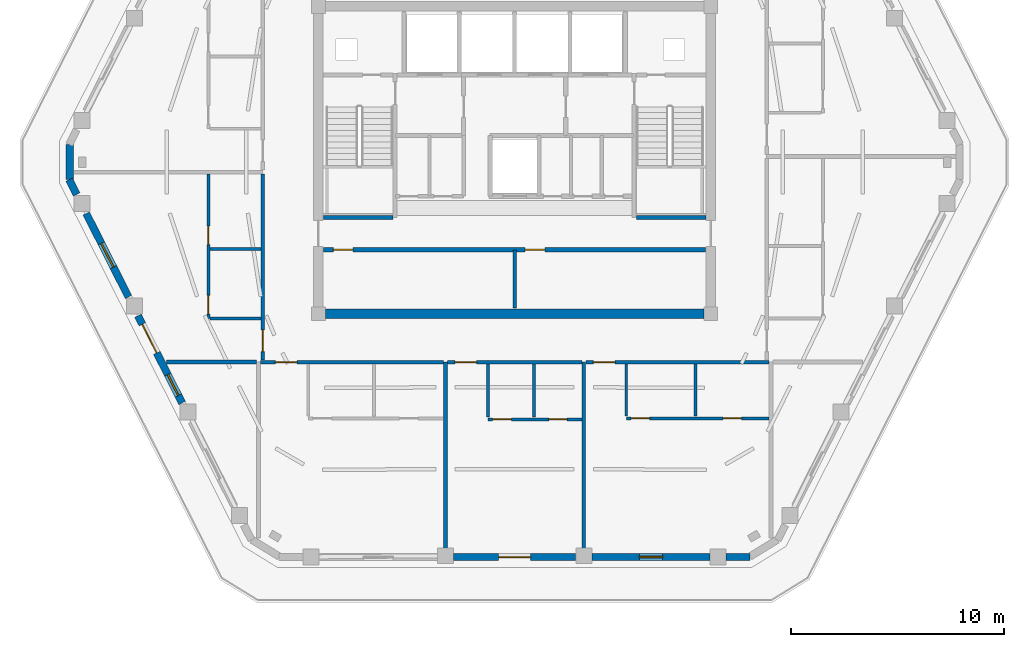
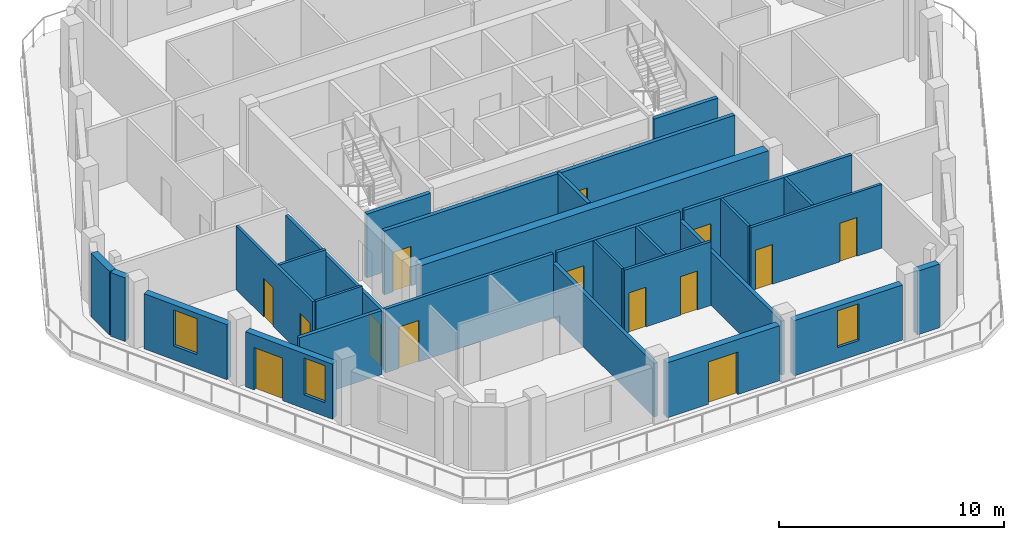
# One storey, part 3 of 10: 28 walls, 14 doors, 3 windows, 17 openings.
"""IFC4 building model written with IfcOpenShell, lengths in metres."""

from ifc_helpers import new_model, si_unit, direction, frame, frame_2d, origin, place, context, subcontext, project, spatial, rectangle, extrude, material, layer, layer_set, type_object, element, fill, save


model = new_model("IFC4")

# Units and contexts
model_context = context("Model", 3, precision=1e-05, world=origin(), true_north=direction((0.0, 1.0)))
body_context = subcontext(model_context, "Body", "Model", "MODEL_VIEW")
ifc_project = project(units=[si_unit("LENGTHUNIT", "METRE"), si_unit("AREAUNIT", "SQUARE_METRE"), si_unit("VOLUMEUNIT", "CUBIC_METRE"), si_unit("PLANEANGLEUNIT", "RADIAN"), si_unit("MASSUNIT", "GRAM", prefix="KILO")], contexts=[model_context])

# Site, building, storey
site_placement = place(None, origin())
site = spatial("IfcSite", under=ifc_project, at=site_placement, CompositionType="ELEMENT")
building_placement = place(site_placement, origin())
building = spatial("IfcBuilding", under=site, at=building_placement, Name="Cinnabar Lancet Tower", CompositionType="ELEMENT")
storey_placement = place(building_placement, frame((0.0, 0.0, 227.0)))
storey = spatial("IfcBuildingStorey", under=building, at=storey_placement, Name="L60", CompositionType="ELEMENT", Elevation=227.0)

# Wall
ifc_material_1 = material(Name="Acoustic twin-stud gypsum partition", Category="gypsum")
ifc_layer_1 = layer(ifc_material_1, 0.159912109375)
ifc_layer_set_1 = layer_set([ifc_layer_1], Name="Acoustic twin-stud gypsum partition")
wall_type_1 = type_object("IfcWallType", Name="ARC-WL-CORR-160", PredefinedType="PARTITIONING", material=ifc_layer_set_1)
wall_1_placement = place(storey_placement, frame((32.39990234375, 18.949951171875, 0.0), z_axis=(0.0, 0.0, 1.0), x_axis=(0.0, 1.0, 0.0)))
element("IfcWall", 1, at=wall_1_placement, inside=storey, type_object=wall_type_1, Name="CW-SB-3240-L60", PredefinedType="PARTITIONING", context=body_context, shape_type="SweptSolid", body=[
    extrude(rectangle(XDim=2.72998046875, YDim=0.159912109375, at=frame_2d((1.364990234375, 0.0))), origin(), (0.0, 0.0, 1.0), 3.449951171875),
])

# Wall, opening, door
wall_2_placement = place(storey_placement, frame((20.445068359375, 16.39990234375, 0.0), z_axis=(0.0, 0.0, 1.0), x_axis=(1.0, 0.0, 0.0)))
wall_2 = element("IfcWall", 2, at=wall_2_placement, inside=storey, type_object=wall_type_1, Name="L60 Unit S01 Corridor Wall", PredefinedType="PARTITIONING", context=body_context, shape_type="SweptSolid", body=[
    extrude(rectangle(XDim=8.60595703125, YDim=0.159912109375, at=frame_2d((4.302978515625, 0.0))), origin(), (0.0, 0.0, 1.0), 3.449951171875),
])
opening_1_placement = place(wall_2_placement, frame((0.705078125, 0.0, 0.0)))
opening_1 = element("IfcOpeningElement", 3, at=opening_1_placement, cuts=wall_2, Name="Opening UD-01", PredefinedType="OPENING", context=body_context, shape_type="SweptSolid", body=[
    extrude(rectangle(XDim=1.02001953125, YDim=2.25, at=frame_2d((0.510009765625, 1.125))), frame((0.0, 0.08984375, 0.0), z_axis=(0.0, -1.0, 0.0), x_axis=(1.0, 0.0, 0.0)), (0.0, 0.0, 1.0), 0.179931640625),
])
ifc_material_2 = material(Name="Solid timber fire-rated apartment entrance door", Category="wood")
door_type_1 = type_object("IfcDoorType", Name="ARC-DR-UNIT", OperationType="NOTDEFINED", PredefinedType="DOOR", material=ifc_material_2)
door_1_placement = place(opening_1_placement, origin())
door_1 = element("IfcDoor", 4, at=door_1_placement, inside=storey, type_object=door_type_1, Name="DR-L60-S01-ENT", OperationType="SINGLE_SWING_RIGHT", OverallHeight=2.25, OverallWidth=1.02001953125, PredefinedType="DOOR", context=body_context, shape_type="SweptSolid", body=[
    extrude(rectangle(XDim=1.02001953125, YDim=2.25, at=frame_2d((0.510009765625, 1.125))), frame((0.0, 0.02490234375, 0.0), z_axis=(0.0, -1.0, 0.0), x_axis=(1.0, 0.0, 0.0)), (0.0, 0.0, 1.0), 0.050048828125),
])
fill(opening_1, door_1)

wall_3_placement = place(storey_placement, frame((29.240966796875, 16.39990234375, 0.0), z_axis=(0.0, 0.0, 1.0), x_axis=(1.0, 0.0, 0.0)))
wall_3 = element("IfcWall", 5, at=wall_3_placement, inside=storey, type_object=wall_type_1, Name="L60 Unit S02 Corridor Wall", PredefinedType="PARTITIONING", context=body_context, shape_type="SweptSolid", body=[
    extrude(rectangle(XDim=6.318115234375, YDim=0.159912109375, at=frame_2d((3.1591796875, 0.0))), origin(), (0.0, 0.0, 1.0), 3.449951171875),
])
opening_2_placement = place(wall_3_placement, frame((0.35498046875, 0.0, 0.0)))
opening_2 = element("IfcOpeningElement", 6, at=opening_2_placement, cuts=wall_3, Name="Opening UD-01", PredefinedType="OPENING", context=body_context, shape_type="SweptSolid", body=[
    extrude(rectangle(XDim=1.02001953125, YDim=2.25, at=frame_2d((0.510009765625, 1.125))), frame((0.0, 0.08984375, 0.0), z_axis=(0.0, -1.0, 0.0), x_axis=(1.0, 0.0, 0.0)), (0.0, 0.0, 1.0), 0.179931640625),
])
door_2_placement = place(opening_2_placement, origin())
door_2 = element("IfcDoor", 7, at=door_2_placement, inside=storey, type_object=door_type_1, Name="DR-L60-S02-ENT", OperationType="SINGLE_SWING_LEFT", OverallHeight=2.25, OverallWidth=1.02001953125, PredefinedType="DOOR", context=body_context, shape_type="SweptSolid", body=[
    extrude(rectangle(XDim=1.02001953125, YDim=2.25, at=frame_2d((0.510009765625, 1.125))), frame((0.0, 0.02490234375, 0.0), z_axis=(0.0, -1.0, 0.0), x_axis=(1.0, 0.0, 0.0)), (0.0, 0.0, 1.0), 0.050048828125),
])
fill(opening_2, door_2)

wall_4_placement = place(storey_placement, frame((35.7490234375, 16.39990234375, 0.0), z_axis=(0.0, 0.0, 1.0), x_axis=(1.0, 0.0, 0.0)))
wall_4 = element("IfcWall", 8, at=wall_4_placement, inside=storey, type_object=wall_type_1, Name="L60 Unit S03 Corridor Wall", PredefinedType="PARTITIONING", context=body_context, shape_type="SweptSolid", body=[
    extrude(rectangle(XDim=8.60595703125, YDim=0.159912109375, at=frame_2d((4.302978515625, 0.0))), origin(), (0.0, 0.0, 1.0), 3.449951171875),
])
opening_3_placement = place(wall_4_placement, frame((0.35498046875, 0.0, 0.0)))
opening_3 = element("IfcOpeningElement", 9, at=opening_3_placement, cuts=wall_4, Name="Opening UD-01", PredefinedType="OPENING", context=body_context, shape_type="SweptSolid", body=[
    extrude(rectangle(XDim=1.02001953125, YDim=2.25, at=frame_2d((0.510009765625, 1.125))), frame((0.0, 0.08984375, 0.0), z_axis=(0.0, -1.0, 0.0), x_axis=(1.0, 0.0, 0.0)), (0.0, 0.0, 1.0), 0.179931640625),
])
door_3_placement = place(opening_3_placement, origin())
door_3 = element("IfcDoor", 10, at=door_3_placement, inside=storey, type_object=door_type_1, Name="DR-L60-S03-ENT", OperationType="SINGLE_SWING_RIGHT", OverallHeight=2.25, OverallWidth=1.02001953125, PredefinedType="DOOR", context=body_context, shape_type="SweptSolid", body=[
    extrude(rectangle(XDim=1.02001953125, YDim=2.25, at=frame_2d((0.510009765625, 1.125))), frame((0.0, 0.02490234375, 0.0), z_axis=(0.0, -1.0, 0.0), x_axis=(1.0, 0.0, 0.0)), (0.0, 0.0, 1.0), 0.050048828125),
])
fill(opening_3, door_3)

wall_5_placement = place(storey_placement, frame((20.550048828125, 16.4951171875, 0.0), z_axis=(0.0, 0.0, 1.0), x_axis=(0.0, 1.0, 0.0)))
wall_5 = element("IfcWall", 11, at=wall_5_placement, inside=storey, type_object=wall_type_1, Name="UW-L60-W01-COR", PredefinedType="PARTITIONING", context=body_context, shape_type="SweptSolid", body=[
    extrude(rectangle(XDim=8.73779296875, YDim=0.159912109375, at=frame_2d((4.368896484375, 0.0))), origin(), (0.0, 0.0, 1.0), 3.136962890625),
])
opening_4_placement = place(wall_5_placement, frame((0.39990234375, 0.0, 0.0)))
opening_4 = element("IfcOpeningElement", 12, at=opening_4_placement, cuts=wall_5, Name="Opening UD-01", PredefinedType="OPENING", context=body_context, shape_type="SweptSolid", body=[
    extrude(rectangle(XDim=1.02001953125, YDim=2.25, at=frame_2d((0.510009765625, 1.125))), frame((0.0, 0.08984375, 0.0), z_axis=(0.0, -1.0, 0.0), x_axis=(1.0, 0.0, 0.0)), (0.0, 0.0, 1.0), 0.179931640625),
])
door_4_placement = place(opening_4_placement, origin())
door_4 = element("IfcDoor", 13, at=door_4_placement, inside=storey, type_object=door_type_1, Name="DR-L60-W01-ENT", OperationType="SINGLE_SWING_RIGHT", OverallHeight=2.25, OverallWidth=1.02001953125, PredefinedType="DOOR", context=body_context, shape_type="SweptSolid", body=[
    extrude(rectangle(XDim=1.02001953125, YDim=2.25, at=frame_2d((0.510009765625, 1.125))), frame((0.0, 0.02490234375, 0.0), z_axis=(0.0, -1.0, 0.0), x_axis=(1.0, 0.0, 0.0)), (0.0, 0.0, 1.0), 0.050048828125),
])
fill(opening_4, door_4)

# Walls
ifc_material_3 = material(Name="Fire-rated twin-frame acoustic drywall", Category="gypsum")
ifc_layer_2 = layer(ifc_material_3, 0.179931640625)
ifc_layer_set_2 = layer_set([ifc_layer_2], Name="Fire-rated twin-frame acoustic drywall")
wall_type_2 = type_object("IfcWallType", Name="ARC-WL-PARTY-180", PredefinedType="PARTITIONING", material=ifc_layer_set_2)
for number, where, z_axis, x_axis, name in (
    (14, (29.14599609375, 7.405029296875, 0.0), (0.0, 0.0, 1.0), (0.0, 1.0, 0.0), "PW-L60-SPTY-291"),
    (15, (35.654052734375, 7.405029296875, 0.0), (0.0, 0.0, 1.0), (0.0, 1.0, 0.0), "PW-L60-SPTY-357"),
):
    element("IfcWall", number, at=place(storey_placement, frame(where, z_axis=z_axis, x_axis=x_axis)), inside=storey, type_object=wall_type_2, Name=name, PredefinedType="PARTITIONING", context=body_context, shape_type="SweptSolid", body=[
        extrude(rectangle(XDim=8.994873046875, YDim=0.179931640625, at=frame_2d((4.49755859375, 0.0))), origin(), (0.0, 0.0, 1.0), 2.906982421875),
    ])
wall_6_placement = place(storey_placement, frame((16.033935546875, 16.39990234375, 0.0), z_axis=(0.0, 0.0, 1.0), x_axis=(1.0, 0.0, 0.0)))
element("IfcWall", 16, at=wall_6_placement, inside=storey, type_object=wall_type_2, Name="PW-L60-WSB", PredefinedType="PARTITIONING", context=body_context, shape_type="SweptSolid", body=[
    extrude(rectangle(XDim=4.220947265625, YDim=0.179931640625, at=frame_2d((2.1103515625, 0.0))), origin(), (0.0, 0.0, 1.0), 3.449951171875),
])
ifc_material_4 = material(Name="Autoclaved aerated concrete blockwork", Category="masonry")
ifc_layer_3 = layer(ifc_material_4, 0.199951171875)
ifc_layer_set_3 = layer_set([ifc_layer_3], Name="Autoclaved aerated concrete blockwork")
wall_type_3 = type_object("IfcWallType", Name="ARC-WL-SHAFT-200", PredefinedType="PLUMBINGWALL", material=ifc_layer_set_3)
for number, where, z_axis, x_axis, name in (
    (17, (23.405029296875, 23.199951171875, 0.0), (0.0, 0.0, 1.0), (1.0, 0.0, 0.0), "CW-ST1S-L60"),
    (18, (38.125, 23.199951171875, 0.0), (0.0, 0.0, 1.0), (1.0, 0.0, 0.0), "CW-ST2S-L60"),
):
    element("IfcWall", number, at=place(storey_placement, frame(where, z_axis=z_axis, x_axis=x_axis)), inside=storey, type_object=wall_type_3, Name=name, PredefinedType="PLUMBINGWALL", context=body_context, shape_type="SweptSolid", body=[
        extrude(rectangle(XDim=3.27001953125, YDim=0.199951171875, at=frame_2d((1.635009765625, 0.0))), origin(), (0.0, 0.0, 1.0), 3.449951171875),
    ])

# Wall, openings, doors
wall_7_placement = place(storey_placement, frame((23.419921875, 21.679931640625, 0.0), z_axis=(0.0, 0.0, 1.0), x_axis=(1.0, 0.0, 0.0)))
wall_7 = element("IfcWall", 19, at=wall_7_placement, inside=storey, type_object=wall_type_3, Name="CW-SBANDN-L60", PredefinedType="PLUMBINGWALL", context=body_context, shape_type="SweptSolid", body=[
    extrude(rectangle(XDim=17.9599609375, YDim=0.199951171875, at=frame_2d((8.97998046875, 0.0))), origin(), (0.0, 0.0, 1.0), 3.449951171875),
])
opening_5_placement = place(wall_7_placement, frame((0.4599609375, 0.0, 0.0)))
opening_5 = element("IfcOpeningElement", 20, at=opening_5_placement, cuts=wall_7, Name="Opening RD-01", PredefinedType="OPENING", context=body_context, shape_type="SweptSolid", body=[
    extrude(rectangle(XDim=0.919921875, YDim=2.14990234375, at=frame_2d((0.4599609375, 1.074951171875))), frame((0.0, 0.10986328125, 0.0), z_axis=(0.0, -1.0, 0.0), x_axis=(1.0, 0.0, 0.0)), (0.0, 0.0, 1.0), 0.219970703125),
])
opening_6_placement = place(wall_7_placement, frame((9.47998046875, 0.0, 0.0)))
opening_6 = element("IfcOpeningElement", 21, at=opening_6_placement, cuts=wall_7, Name="Opening RD-01", PredefinedType="OPENING", context=body_context, shape_type="SweptSolid", body=[
    extrude(rectangle(XDim=0.919921875, YDim=2.14990234375, at=frame_2d((0.4599609375, 1.074951171875))), frame((0.0, 0.10986328125, 0.0), z_axis=(0.0, -1.0, 0.0), x_axis=(1.0, 0.0, 0.0)), (0.0, 0.0, 1.0), 0.219970703125),
])
ifc_material_5 = material(Name="Engineered timber bedroom door", Category="wood")
door_type_2 = type_object("IfcDoorType", Name="ARC-DR-ROOM", OperationType="NOTDEFINED", PredefinedType="DOOR", material=ifc_material_5)
door_5_placement = place(opening_5_placement, origin())
door_5 = element("IfcDoor", 22, at=door_5_placement, inside=storey, type_object=door_type_2, Name="DR-L60-HREC1", OperationType="SINGLE_SWING_LEFT", OverallHeight=2.14990234375, OverallWidth=0.919921875, PredefinedType="DOOR", context=body_context, shape_type="SweptSolid", body=[
    extrude(rectangle(XDim=0.919921875, YDim=2.14990234375, at=frame_2d((0.4599609375, 1.074951171875))), frame((0.0, 0.02490234375, 0.0), z_axis=(0.0, -1.0, 0.0), x_axis=(1.0, 0.0, 0.0)), (0.0, 0.0, 1.0), 0.050048828125),
])
fill(opening_5, door_5)
door_6_placement = place(opening_6_placement, origin())
door_6 = element("IfcDoor", 23, at=door_6_placement, inside=storey, type_object=door_type_2, Name="DR-L60-HREC2", OperationType="SINGLE_SWING_RIGHT", OverallHeight=2.14990234375, OverallWidth=0.919921875, PredefinedType="DOOR", context=body_context, shape_type="SweptSolid", body=[
    extrude(rectangle(XDim=0.919921875, YDim=2.14990234375, at=frame_2d((0.4599609375, 1.074951171875))), frame((0.0, 0.02490234375, 0.0), z_axis=(0.0, -1.0, 0.0), x_axis=(1.0, 0.0, 0.0)), (0.0, 0.0, 1.0), 0.050048828125),
])
fill(opening_6, door_6)

# Walls
ifc_material_6 = material(Name="Gypsum plasterboard stud partition", Category="gypsum")
ifc_layer_4 = layer(ifc_material_6, 0.125)
ifc_layer_set_4 = layer_set([ifc_layer_4], Name="Gypsum plasterboard stud partition")
wall_type_4 = type_object("IfcWallType", Name="ARC-WL-UNIT-125", PredefinedType="PARTITIONING", material=ifc_layer_set_4)
wall_8_placement = place(storey_placement, frame((31.14599609375, 13.806884765625, 0.0), z_axis=(0.0, 0.0, 1.0), x_axis=(0.0, 1.0, 0.0)))
element("IfcWall", 24, at=wall_8_placement, inside=storey, type_object=wall_type_4, Name="UW-L60-S02-FOYE", PredefinedType="PARTITIONING", context=body_context, shape_type="SweptSolid", body=[
    extrude(rectangle(XDim=2.508056640625, YDim=0.125, at=frame_2d((1.25390625, 0.0))), origin(), (0.0, 0.0, 1.0), 3.449951171875),
])
wall_9_placement = place(storey_placement, frame((37.654052734375, 13.85498046875, 0.0), z_axis=(0.0, 0.0, 1.0), x_axis=(0.0, 1.0, 0.0)))
element("IfcWall", 25, at=wall_9_placement, inside=storey, type_object=wall_type_4, Name="UW-L60-S03-FOYE", PredefinedType="PARTITIONING", context=body_context, shape_type="SweptSolid", body=[
    extrude(rectangle(XDim=2.4599609375, YDim=0.125, at=frame_2d((1.22998046875, 0.0))), origin(), (0.0, 0.0, 1.0), 3.449951171875),
])
wall_10_placement = place(storey_placement, frame((18.0849609375, 18.449951171875, 0.0), z_axis=(0.0, 0.0, 1.0), x_axis=(1.0, 0.0, 0.0)))
element("IfcWall", 26, at=wall_10_placement, inside=storey, type_object=wall_type_4, Name="UW-L60-W01-FOYN", PredefinedType="PARTITIONING", context=body_context, shape_type="SweptSolid", body=[
    extrude(rectangle(XDim=2.380126953125, YDim=0.125, at=frame_2d((1.18994140625, 0.0))), origin(), (0.0, 0.0, 1.0), 3.449951171875),
])

# Wall, openings, doors
ifc_material_7 = material(Name="Moisture-resistant cement-board plumbing wall", Category="masonry")
ifc_layer_5 = layer(ifc_material_7, 0.139892578125)
ifc_layer_set_5 = layer_set([ifc_layer_5], Name="Moisture-resistant cement-board plumbing wall")
wall_type_5 = type_object("IfcWallType", Name="ARC-WL-WET-140", PredefinedType="PLUMBINGWALL", material=ifc_layer_set_5)
wall_11_placement = place(storey_placement, frame((31.14599609375, 13.701904296875, 0.0), z_axis=(0.0, 0.0, 1.0), x_axis=(1.0, 0.0, 0.0)))
wall_11 = element("IfcWall", 27, at=wall_11_placement, inside=storey, type_object=wall_type_5, Name="UW-L60-S02-SPL", PredefinedType="PLUMBINGWALL", context=body_context, shape_type="SweptSolid", body=[
    extrude(rectangle(XDim=4.4130859375, YDim=0.139892578125, at=frame_2d((2.20654296875, 0.0))), origin(), (0.0, 0.0, 1.0), 3.449951171875),
])
opening_7_placement = place(wall_11_placement, frame((2.864013671875, 0.0, 0.0)))
opening_7 = element("IfcOpeningElement", 28, at=opening_7_placement, cuts=wall_11, Name="Opening BD-01", PredefinedType="OPENING", context=body_context, shape_type="SweptSolid", body=[
    extrude(rectangle(XDim=0.860107421875, YDim=2.10009765625, at=frame_2d((0.43017578125, 1.050048828125))), frame((0.0, 0.079833984375, 0.0), z_axis=(0.0, -1.0, 0.0), x_axis=(1.0, 0.0, 0.0)), (0.0, 0.0, 1.0), 0.159912109375),
])
opening_8_placement = place(wall_11_placement, frame((0.219970703125, 0.0, 0.0)))
opening_8 = element("IfcOpeningElement", 29, at=opening_8_placement, cuts=wall_11, Name="Opening RD-02", PredefinedType="OPENING", context=body_context, shape_type="SweptSolid", body=[
    extrude(rectangle(XDim=0.8798828125, YDim=2.14990234375, at=frame_2d((0.43994140625, 1.074951171875))), frame((0.0, 0.079833984375, 0.0), z_axis=(0.0, -1.0, 0.0), x_axis=(1.0, 0.0, 0.0)), (0.0, 0.0, 1.0), 0.159912109375),
])
ifc_material_8 = material(Name="Moisture-resistant timber bathroom door", Category="wood")
door_type_3 = type_object("IfcDoorType", Name="ARC-DR-BATH", OperationType="NOTDEFINED", PredefinedType="DOOR", material=ifc_material_8)
door_7_placement = place(opening_7_placement, origin())
door_7 = element("IfcDoor", 30, at=door_7_placement, inside=storey, type_object=door_type_3, Name="DR-L60-S02-BTH", OperationType="SINGLE_SWING_LEFT", OverallHeight=2.10009765625, OverallWidth=0.860107421875, PredefinedType="DOOR", context=body_context, shape_type="SweptSolid", body=[
    extrude(rectangle(XDim=0.860107421875, YDim=2.10009765625, at=frame_2d((0.43017578125, 1.050048828125))), frame((0.0, 0.02490234375, 0.0), z_axis=(0.0, -1.0, 0.0), x_axis=(1.0, 0.0, 0.0)), (0.0, 0.0, 1.0), 0.050048828125),
])
fill(opening_7, door_7)
ifc_material_9 = material(Name="Engineered timber study door", Category="wood")
door_type_4 = type_object("IfcDoorType", Name="ARC-DR-STUDY", OperationType="NOTDEFINED", PredefinedType="DOOR", material=ifc_material_9)
door_8_placement = place(opening_8_placement, origin())
door_8 = element("IfcDoor", 31, at=door_8_placement, inside=storey, type_object=door_type_4, Name="DR-L60-S02-KIT", OperationType="SINGLE_SWING_RIGHT", OverallHeight=2.14990234375, OverallWidth=0.8798828125, PredefinedType="DOOR", context=body_context, shape_type="SweptSolid", body=[
    extrude(rectangle(XDim=0.8798828125, YDim=2.14990234375, at=frame_2d((0.43994140625, 1.074951171875))), frame((0.0, 0.02490234375, 0.0), z_axis=(0.0, -1.0, 0.0), x_axis=(1.0, 0.0, 0.0)), (0.0, 0.0, 1.0), 0.050048828125),
])
fill(opening_8, door_8)

# Wall
wall_12_placement = place(storey_placement, frame((33.31005859375, 13.806884765625, 0.0), z_axis=(0.0, 0.0, 1.0), x_axis=(0.0, 1.0, 0.0)))
element("IfcWall", 32, at=wall_12_placement, inside=storey, type_object=wall_type_5, Name="UW-L60-S02-KDV", PredefinedType="PLUMBINGWALL", context=body_context, shape_type="SweptSolid", body=[
    extrude(rectangle(XDim=2.508056640625, YDim=0.139892578125, at=frame_2d((1.25390625, 0.0))), origin(), (0.0, 0.0, 1.0), 3.449951171875),
])

# Wall, openings, doors
wall_13_placement = place(storey_placement, frame((37.654052734375, 13.75, 0.0), z_axis=(0.0, 0.0, 1.0), x_axis=(1.0, 0.0, 0.0)))
wall_13 = element("IfcWall", 33, at=wall_13_placement, inside=storey, type_object=wall_type_5, Name="UW-L60-S03-SPL", PredefinedType="PLUMBINGWALL", context=body_context, shape_type="SweptSolid", body=[
    extrude(rectangle(XDim=6.700927734375, YDim=0.139892578125, at=frame_2d((3.3505859375, 0.0))), origin(), (0.0, 0.0, 1.0), 3.449951171875),
])
opening_9_placement = place(wall_13_placement, frame((4.555908203125, 0.0, 0.0)))
opening_9 = element("IfcOpeningElement", 34, at=opening_9_placement, cuts=wall_13, Name="Opening BD-01", PredefinedType="OPENING", context=body_context, shape_type="SweptSolid", body=[
    extrude(rectangle(XDim=0.860107421875, YDim=2.10009765625, at=frame_2d((0.43017578125, 1.050048828125))), frame((0.0, 0.079833984375, 0.0), z_axis=(0.0, -1.0, 0.0), x_axis=(1.0, 0.0, 0.0)), (0.0, 0.0, 1.0), 0.159912109375),
])
opening_10_placement = place(wall_13_placement, frame((0.219970703125, 0.0, 0.0)))
opening_10 = element("IfcOpeningElement", 35, at=opening_10_placement, cuts=wall_13, Name="Opening RD-02", PredefinedType="OPENING", context=body_context, shape_type="SweptSolid", body=[
    extrude(rectangle(XDim=0.8798828125, YDim=2.14990234375, at=frame_2d((0.43994140625, 1.074951171875))), frame((0.0, 0.079833984375, 0.0), z_axis=(0.0, -1.0, 0.0), x_axis=(1.0, 0.0, 0.0)), (0.0, 0.0, 1.0), 0.159912109375),
])
door_9_placement = place(opening_9_placement, origin())
door_9 = element("IfcDoor", 36, at=door_9_placement, inside=storey, type_object=door_type_3, Name="DR-L60-S03-BTH", OperationType="SINGLE_SWING_RIGHT", OverallHeight=2.10009765625, OverallWidth=0.860107421875, PredefinedType="DOOR", context=body_context, shape_type="SweptSolid", body=[
    extrude(rectangle(XDim=0.860107421875, YDim=2.10009765625, at=frame_2d((0.43017578125, 1.050048828125))), frame((0.0, 0.02490234375, 0.0), z_axis=(0.0, -1.0, 0.0), x_axis=(1.0, 0.0, 0.0)), (0.0, 0.0, 1.0), 0.050048828125),
])
fill(opening_9, door_9)
door_10_placement = place(opening_10_placement, origin())
door_10 = element("IfcDoor", 37, at=door_10_placement, inside=storey, type_object=door_type_4, Name="DR-L60-S03-KIT", OperationType="SINGLE_SWING_LEFT", OverallHeight=2.14990234375, OverallWidth=0.8798828125, PredefinedType="DOOR", context=body_context, shape_type="SweptSolid", body=[
    extrude(rectangle(XDim=0.8798828125, YDim=2.14990234375, at=frame_2d((0.43994140625, 1.074951171875))), frame((0.0, 0.02490234375, 0.0), z_axis=(0.0, -1.0, 0.0), x_axis=(1.0, 0.0, 0.0)), (0.0, 0.0, 1.0), 0.050048828125),
])
fill(opening_10, door_10)

# Wall
wall_14_placement = place(storey_placement, frame((40.916015625, 13.85498046875, 0.0), z_axis=(0.0, 0.0, 1.0), x_axis=(0.0, 1.0, 0.0)))
element("IfcWall", 38, at=wall_14_placement, inside=storey, type_object=wall_type_5, Name="UW-L60-S03-KDV", PredefinedType="PLUMBINGWALL", context=body_context, shape_type="SweptSolid", body=[
    extrude(rectangle(XDim=2.4599609375, YDim=0.139892578125, at=frame_2d((1.22998046875, 0.0))), origin(), (0.0, 0.0, 1.0), 3.449951171875),
])

# Wall, openings, doors
wall_15_placement = place(storey_placement, frame((18.0, 18.449951171875, 0.0), z_axis=(0.0, 0.0, 1.0), x_axis=(0.0, 1.0, 0.0)))
wall_15 = element("IfcWall", 39, at=wall_15_placement, inside=storey, type_object=wall_type_5, Name="UW-L60-W01-SPL", PredefinedType="PLUMBINGWALL", context=body_context, shape_type="SweptSolid", body=[
    extrude(rectangle(XDim=6.782958984375, YDim=0.139892578125, at=frame_2d((3.3916015625, 0.0))), origin(), (0.0, 0.0, 1.0), 3.449951171875),
])
opening_11_placement = place(wall_15_placement, frame((3.47607421875, 0.0, 0.0)))
opening_11 = element("IfcOpeningElement", 40, at=opening_11_placement, cuts=wall_15, Name="Opening BD-01", PredefinedType="OPENING", context=body_context, shape_type="SweptSolid", body=[
    extrude(rectangle(XDim=0.860107421875, YDim=2.10009765625, at=frame_2d((0.43017578125, 1.050048828125))), frame((0.0, 0.079833984375, 0.0), z_axis=(0.0, -1.0, 0.0), x_axis=(1.0, 0.0, 0.0)), (0.0, 0.0, 1.0), 0.159912109375),
])
opening_12_placement = place(wall_15_placement, frame((0.199951171875, 0.0, 0.0)))
opening_12 = element("IfcOpeningElement", 41, at=opening_12_placement, cuts=wall_15, Name="Opening RD-02", PredefinedType="OPENING", context=body_context, shape_type="SweptSolid", body=[
    extrude(rectangle(XDim=0.8798828125, YDim=2.14990234375, at=frame_2d((0.43994140625, 1.074951171875))), frame((0.0, 0.079833984375, 0.0), z_axis=(0.0, -1.0, 0.0), x_axis=(1.0, 0.0, 0.0)), (0.0, 0.0, 1.0), 0.159912109375),
])
door_11_placement = place(opening_11_placement, origin())
door_11 = element("IfcDoor", 42, at=door_11_placement, inside=storey, type_object=door_type_3, Name="DR-L60-W01-BTH", OperationType="SINGLE_SWING_RIGHT", OverallHeight=2.10009765625, OverallWidth=0.860107421875, PredefinedType="DOOR", context=body_context, shape_type="SweptSolid", body=[
    extrude(rectangle(XDim=0.860107421875, YDim=2.10009765625, at=frame_2d((0.43017578125, 1.050048828125))), frame((0.0, 0.02490234375, 0.0), z_axis=(0.0, -1.0, 0.0), x_axis=(1.0, 0.0, 0.0)), (0.0, 0.0, 1.0), 0.050048828125),
])
fill(opening_11, door_11)
door_12_placement = place(opening_12_placement, origin())
door_12 = element("IfcDoor", 43, at=door_12_placement, inside=storey, type_object=door_type_4, Name="DR-L60-W01-KIT", OperationType="SINGLE_SWING_LEFT", OverallHeight=2.14990234375, OverallWidth=0.8798828125, PredefinedType="DOOR", context=body_context, shape_type="SweptSolid", body=[
    extrude(rectangle(XDim=0.8798828125, YDim=2.14990234375, at=frame_2d((0.43994140625, 1.074951171875))), frame((0.0, 0.02490234375, 0.0), z_axis=(0.0, -1.0, 0.0), x_axis=(1.0, 0.0, 0.0)), (0.0, 0.0, 1.0), 0.050048828125),
])
fill(opening_12, door_12)

# Walls
wall_16_placement = place(storey_placement, frame((18.0849609375, 21.7060546875, 0.0), z_axis=(0.0, 0.0, 1.0), x_axis=(1.0, 0.0, 0.0)))
element("IfcWall", 44, at=wall_16_placement, inside=storey, type_object=wall_type_5, Name="UW-L60-W01-KDV", PredefinedType="PLUMBINGWALL", context=body_context, shape_type="SweptSolid", body=[
    extrude(rectangle(XDim=2.380126953125, YDim=0.139892578125, at=frame_2d((1.18994140625, 0.0))), origin(), (0.0, 0.0, 1.0), 3.449951171875),
])
ifc_material_10 = material(Name="Cinnabar red clay brick", Category="masonry")
ifc_layer_6 = layer(ifc_material_10, 0.340087890625)
ifc_layer_set_6 = layer_set([ifc_layer_6], Name="Cinnabar red clay brick")
wall_type_6 = type_object("IfcWallType", Name="ENV-WL-BRK-RED-340", PredefinedType="STANDARD", material=ifc_layer_set_6)
wall_17_placement = place(storey_placement, frame((11.47705078125, 26.6201171875, 0.0), z_axis=(0.0, 0.0, 1.0), x_axis=(0.0, -1.0, 0.0)))
element("IfcWall", 45, at=wall_17_placement, inside=storey, type_object=wall_type_6, Name="L60 Chamfered Corner Brick Pier 6.1", PredefinedType="STANDARD", context=body_context, shape_type="SweptSolid", body=[
    extrude(rectangle(XDim=1.64013671875, YDim=0.340087890625, at=frame_2d((0.820068359375, 0.0))), origin(), (0.0, 0.0, 1.0), 3.449951171875),
])

# Wall, opening, door
wall_18_placement = place(storey_placement, frame((29.52490234375, 7.22998046875, 0.0), z_axis=(0.0, 0.0, 1.0), x_axis=(1.0, 0.0, 0.0)))
wall_18 = element("IfcWall", 46, at=wall_18_placement, inside=storey, type_object=wall_type_6, Name="L60 Face 1 Masonry Bay Wall 3", PredefinedType="STANDARD", context=body_context, shape_type="SweptSolid", body=[
    extrude(rectangle(XDim=5.75, YDim=0.340087890625, at=frame_2d((2.875, 0.0))), origin(), (0.0, 0.0, 1.0), 2.98291015625),
])
opening_13_placement = place(wall_18_placement, frame((2.125, 0.0, 0.0)))
opening_13 = element("IfcOpeningElement", 47, at=opening_13_placement, cuts=wall_18, Name="Opening TD-02", PredefinedType="OPENING", context=body_context, shape_type="SweptSolid", body=[
    extrude(rectangle(XDim=1.5, YDim=2.300048828125, at=frame_2d((0.75, 1.14990234375))), frame((0.0, 0.179931640625, 0.0), z_axis=(0.0, -1.0, 0.0), x_axis=(1.0, 0.0, 0.0)), (0.0, 0.0, 1.0), 0.360107421875),
])
ifc_material_11 = material(Name="Thermally broken low-E glazed sky-terrace double door", Category="wood")
door_type_5 = type_object("IfcDoorType", Name="ARC-DR-STER", OperationType="NOTDEFINED", PredefinedType="DOOR", material=ifc_material_11)
door_13_placement = place(opening_13_placement, origin())
door_13 = element("IfcDoor", 48, at=door_13_placement, inside=storey, type_object=door_type_5, Name="L60 Face 1 Glazed Terrace Door", OperationType="SINGLE_SWING_LEFT", OverallHeight=2.300048828125, OverallWidth=1.5, PredefinedType="DOOR", context=body_context, shape_type="SweptSolid", body=[
    extrude(rectangle(XDim=1.5, YDim=2.300048828125, at=frame_2d((0.75, 1.14990234375))), frame((0.0, 0.02490234375, 0.0), z_axis=(0.0, -1.0, 0.0), x_axis=(1.0, 0.0, 0.0)), (0.0, 0.0, 1.0), 0.050048828125),
])
fill(opening_13, door_13)

# Wall, opening, window
wall_19_placement = place(storey_placement, frame((36.032958984375, 7.22998046875, 0.0), z_axis=(0.0, 0.0, 1.0), x_axis=(1.0, 0.0, 0.0)))
wall_19 = element("IfcWall", 49, at=wall_19_placement, inside=storey, type_object=wall_type_6, Name="L60 Face 1 Masonry Bay Wall 4", PredefinedType="STANDARD", context=body_context, shape_type="SweptSolid", body=[
    extrude(rectangle(XDim=5.56005859375, YDim=0.340087890625, at=frame_2d((2.780029296875, 0.0))), origin(), (0.0, 0.0, 1.0), 2.98291015625),
])
opening_14_placement = place(wall_19_placement, frame((2.22998046875, 0.0, 0.75)))
opening_14 = element("IfcOpeningElement", 50, at=opening_14_placement, cuts=wall_19, Name="Opening WN-04", PredefinedType="OPENING", context=body_context, shape_type="SweptSolid", body=[
    extrude(rectangle(XDim=1.10009765625, YDim=2.0, at=frame_2d((0.550048828125, 1.0))), frame((0.0, 0.179931640625, 0.0), z_axis=(0.0, -1.0, 0.0), x_axis=(1.0, 0.0, 0.0)), (0.0, 0.0, 1.0), 0.360107421875),
])
ifc_material_12 = material(Name="Thermally broken bronze-anodized aluminium tall lancet window", Category="aluminium")
window_type_1 = type_object("IfcWindowType", Name="ENV-WN-LANCET-1100", PartitioningType="SINGLE_PANEL", PredefinedType="WINDOW", material=ifc_material_12)
window_1_placement = place(opening_14_placement, origin())
window_1 = element("IfcWindow", 51, at=window_1_placement, inside=storey, type_object=window_type_1, Name="L60 Face 1 Gothic Lancet Window 4", OverallHeight=2.0, OverallWidth=1.10009765625, PartitioningType="SINGLE_PANEL", PredefinedType="WINDOW", context=body_context, shape_type="SweptSolid", body=[
    extrude(rectangle(XDim=1.10009765625, YDim=2.0, at=frame_2d((0.550048828125, 1.0))), frame((0.0, 0.030029296875, 0.0), z_axis=(0.0, -1.0, 0.0), x_axis=(1.0, 0.0, 0.0)), (0.0, 0.0, 1.0), 0.06005859375),
])
fill(opening_14, window_1)

# Walls
wall_20_placement = place(storey_placement, frame((42.35107421875, 7.22998046875, 0.0), z_axis=(0.0, 0.0, 1.0), x_axis=(1.0, 0.0, 0.0)))
element("IfcWall", 52, at=wall_20_placement, inside=storey, type_object=wall_type_6, Name="L60 Face 1 Masonry Bay Wall 5", PredefinedType="STANDARD", context=body_context, shape_type="SweptSolid", body=[
    extrude(rectangle(XDim=1.123046875, YDim=0.340087890625, at=frame_2d((0.5615234375, 0.0))), origin(), (0.0, 0.0, 1.0), 3.449951171875),
])
wall_21_placement = place(storey_placement, frame((11.4560546875, 24.972900390625, 0.0), z_axis=(0.0, 0.0, 1.0), x_axis=(0.45075284655, -0.892648795063, 0.0)))
element("IfcWall", 53, at=wall_21_placement, inside=storey, type_object=wall_type_6, Name="L60 Face 6 Masonry Bay Wall 1", PredefinedType="STANDARD", context=body_context, shape_type="SweptSolid", body=[
    extrude(rectangle(XDim=0.771728515625, YDim=0.340087890625, at=frame_2d((0.3857421875, 0.0))), origin(), (0.0, 0.0, 1.0), 3.449951171875),
])

# Wall, opening, window
wall_22_placement = place(storey_placement, frame((12.257080078125, 23.388916015625, 0.0), z_axis=(0.0, 0.0, 1.0), x_axis=(0.45130817501, -0.892368158984, 0.0)))
wall_22 = element("IfcWall", 54, at=wall_22_placement, inside=storey, type_object=wall_type_6, Name="L60 Face 6 Masonry Bay Wall 2", PredefinedType="STANDARD", context=body_context, shape_type="SweptSolid", body=[
    extrude(rectangle(XDim=4.4072265625, YDim=0.340087890625, at=frame_2d((2.20361328125, 0.0))), origin(), (0.0, 0.0, 1.0), 2.98291015625),
])
opening_15_placement = place(wall_22_placement, frame((1.5791015625, 0.0, 0.75)))
opening_15 = element("IfcOpeningElement", 55, at=opening_15_placement, cuts=wall_22, Name="Opening WN-03", PredefinedType="OPENING", context=body_context, shape_type="SweptSolid", body=[
    extrude(rectangle(XDim=1.25, YDim=1.949951171875, at=frame_2d((0.625, 0.97509765625))), frame((0.0, 0.179931640625, 0.0), z_axis=(0.0, -1.0, 0.0), x_axis=(1.0, 0.0, 0.0)), (0.0, 0.0, 1.0), 0.360107421875),
])
ifc_material_13 = material(Name="Thermally broken bronze-anodized aluminium low-E double glazing", Category="aluminium")
window_type_2 = type_object("IfcWindowType", Name="ENV-WN-LANCET-1250", PartitioningType="SINGLE_PANEL", PredefinedType="WINDOW", material=ifc_material_13)
window_2_placement = place(opening_15_placement, origin())
window_2 = element("IfcWindow", 56, at=window_2_placement, inside=storey, type_object=window_type_2, Name="L60 Face 6 Gothic Lancet Window 2", OverallHeight=1.949951171875, OverallWidth=1.25, PartitioningType="SINGLE_PANEL", PredefinedType="WINDOW", context=body_context, shape_type="SweptSolid", body=[
    extrude(rectangle(XDim=1.25, YDim=1.949951171875, at=frame_2d((0.625, 0.97509765625))), frame((0.0, 0.030029296875, 0.0), z_axis=(0.0, -1.0, 0.0), x_axis=(1.0, 0.0, 0.0)), (0.0, 0.0, 1.0), 0.06005859375),
])
fill(opening_15, window_2)

# Wall, openings, door, window
wall_23_placement = place(storey_placement, frame((14.69091796875, 18.576904296875, 0.0), z_axis=(0.0, 0.0, 1.0), x_axis=(0.451581819983, -0.892229712496, 0.0)))
wall_23 = element("IfcWall", 57, at=wall_23_placement, inside=storey, type_object=wall_type_6, Name="L60 Face 6 Masonry Bay Wall 3", PredefinedType="STANDARD", context=body_context, shape_type="SweptSolid", body=[
    extrude(rectangle(XDim=4.599609375, YDim=0.340087890625, at=frame_2d((2.2998046875, 0.0))), origin(), (0.0, 0.0, 1.0), 2.98291015625),
])
opening_16_placement = place(wall_23_placement, frame((0.4541015625, 0.0, 0.0)))
opening_16 = element("IfcOpeningElement", 58, at=opening_16_placement, cuts=wall_23, Name="Opening TD-02", PredefinedType="OPENING", context=body_context, shape_type="SweptSolid", body=[
    extrude(rectangle(XDim=1.5, YDim=2.300048828125, at=frame_2d((0.75, 1.14990234375))), frame((0.0, 0.179931640625, 0.0), z_axis=(0.0, -1.0, 0.0), x_axis=(1.0, 0.0, 0.0)), (0.0, 0.0, 1.0), 0.360107421875),
])
opening_17_placement = place(wall_23_placement, frame((3.10009765625, 0.0, 0.75)))
opening_17 = element("IfcOpeningElement", 59, at=opening_17_placement, cuts=wall_23, Name="Opening WN-04", PredefinedType="OPENING", context=body_context, shape_type="SweptSolid", body=[
    extrude(rectangle(XDim=1.10009765625, YDim=2.0, at=frame_2d((0.550048828125, 1.0))), frame((0.0, 0.179931640625, 0.0), z_axis=(0.0, -1.0, 0.0), x_axis=(1.0, 0.0, 0.0)), (0.0, 0.0, 1.0), 0.360107421875),
])
door_14_placement = place(opening_16_placement, origin())
door_14 = element("IfcDoor", 60, at=door_14_placement, inside=storey, type_object=door_type_5, Name="L60 Face 6 Glazed Terrace Door", OperationType="SINGLE_SWING_RIGHT", OverallHeight=2.300048828125, OverallWidth=1.5, PredefinedType="DOOR", context=body_context, shape_type="SweptSolid", body=[
    extrude(rectangle(XDim=1.5, YDim=2.300048828125, at=frame_2d((0.75, 1.14990234375))), frame((0.0, 0.02490234375, 0.0), z_axis=(0.0, -1.0, 0.0), x_axis=(1.0, 0.0, 0.0)), (0.0, 0.0, 1.0), 0.050048828125),
])
fill(opening_16, door_14)
window_3_placement = place(opening_17_placement, origin())
window_3 = element("IfcWindow", 61, at=window_3_placement, inside=storey, type_object=window_type_1, Name="L60 Split-Bay Gothic Lancet Window 210", OverallHeight=2.0, OverallWidth=1.10009765625, PartitioningType="SINGLE_PANEL", PredefinedType="WINDOW", context=body_context, shape_type="SweptSolid", body=[
    extrude(rectangle(XDim=1.10009765625, YDim=2.0, at=frame_2d((0.550048828125, 1.0))), frame((0.0, 0.030029296875, 0.0), z_axis=(0.0, -1.0, 0.0), x_axis=(1.0, 0.0, 0.0)), (0.0, 0.0, 1.0), 0.06005859375),
])
fill(opening_17, window_3)

# Wall
ifc_material_14 = material(Name="Concrete C50/60", Category="concrete")
ifc_layer_7 = layer(ifc_material_14, 0.449951171875)
ifc_layer_set_7 = layer_set([ifc_layer_7], Name="Concrete C50/60")
wall_type_7 = type_object("IfcWallType", Name="STR-WL-CORE-450", PredefinedType="SHEAR", material=ifc_layer_set_7)
wall_24_placement = place(storey_placement, frame((23.5, 18.675048828125, 0.0), z_axis=(0.0, 0.0, 1.0), x_axis=(1.0, 0.0, 0.0)))
element("IfcWall", 62, at=wall_24_placement, inside=storey, type_object=wall_type_7, Name="L60 Core Shear Wall S", PredefinedType="SHEAR", context=body_context, shape_type="SweptSolid", body=[
    extrude(rectangle(XDim=17.800048828125, YDim=0.449951171875, at=frame_2d((8.89990234375, 0.0))), origin(), (0.0, 0.0, 1.0), 3.449951171875),
])

save(model, "model.ifc")
